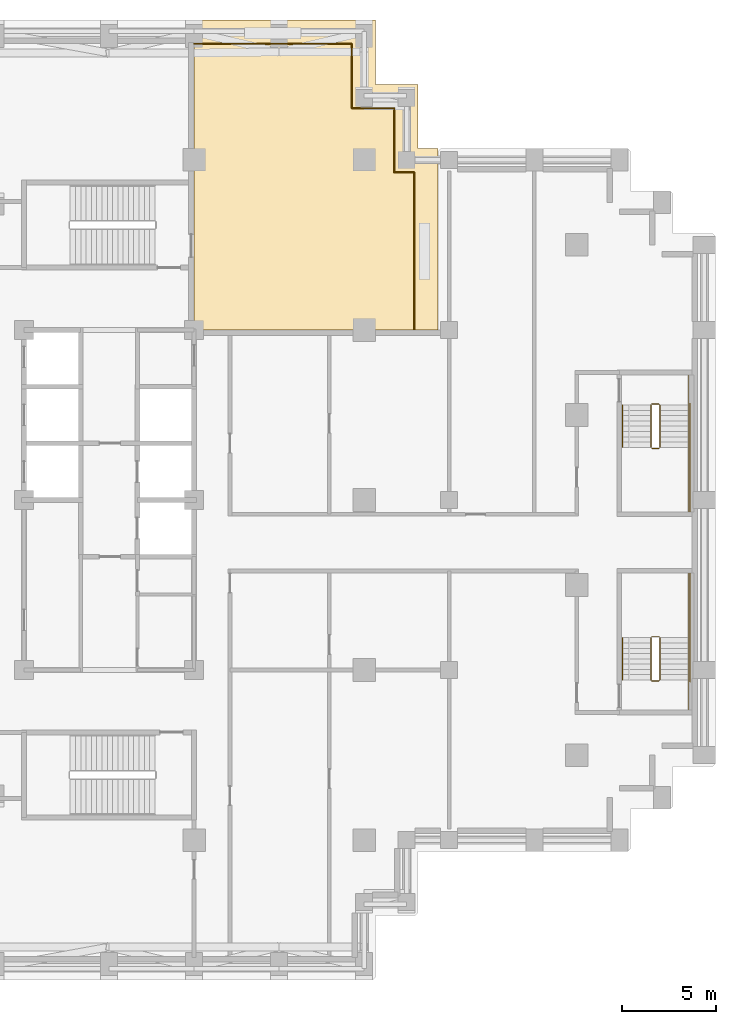
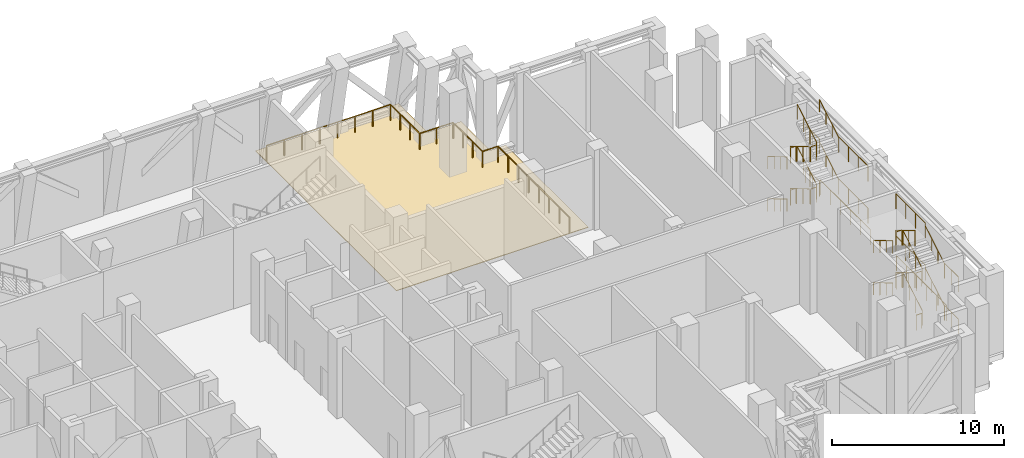
# One storey, part 14 of 14: 3 railings, 1 covering.
"""IFC4 building model written with IfcOpenShell, lengths in metres."""

from ifc_helpers import new_model, si_unit, direction, frame, origin, origin_2d, place, context, subcontext, project, spatial, polyline, circle, outline, extrude, material, layer, layer_set, type_object, element, save


model = new_model("IFC4")

# Units and contexts
model_context = context("Model", 3, precision=1e-05, world=origin(), true_north=direction((0.0, 1.0)))
body_context = subcontext(model_context, "Body", "Model", "MODEL_VIEW")
ifc_project = project(units=[si_unit("LENGTHUNIT", "METRE"), si_unit("AREAUNIT", "SQUARE_METRE"), si_unit("VOLUMEUNIT", "CUBIC_METRE"), si_unit("PLANEANGLEUNIT", "RADIAN"), si_unit("MASSUNIT", "GRAM", prefix="KILO")], contexts=[model_context])

# Site, building, storey
site_placement = place(None, origin())
site = spatial("IfcSite", under=ifc_project, at=site_placement, CompositionType="ELEMENT")
building_placement = place(site_placement, origin())
building = spatial("IfcBuilding", under=site, at=building_placement, Name="Corbelhall Arena Tower", CompositionType="ELEMENT")
storey_placement = place(building_placement, frame((0.0, 0.0, 120.0)))
storey = spatial("IfcBuildingStorey", under=building, at=storey_placement, Name="L22", CompositionType="ELEMENT", Elevation=120.0)

# Railing
ifc_material_1 = material(Name="Steel ASTM A500 Gr C", Category="steel")
railing_type_1 = type_object("IfcRailingType", Name="EV-GD1 Terrace guard 1100", PredefinedType="GUARDRAIL", material=ifc_material_1)
railing_1_placement = place(storey_placement, frame((13.5, 24.139892578125, 0.0400390625)))
element("IfcRailing", 1, at=railing_1_placement, inside=storey, type_object=railing_type_1, Name="Guard", PredefinedType="GUARDRAIL", context=body_context, shape_type="SweptSolid", body=[
    extrude(circle(Radius=0.02392578125, at=origin_2d()), frame((0.0, 0.0, 1.1259765625), z_axis=(1.0, 0.0, 0.0), x_axis=(0.0, 1.0, 0.0)), (0.0, 0.0, 1.0), 8.340087890625),
    extrude(circle(Radius=0.02392578125, at=origin_2d()), frame((8.340087890625, 0.0, 1.1259765625), z_axis=(0.0, -1.0, 0.0), x_axis=(1.0, 0.0, 0.0)), (0.0, 0.0, 1.0), 3.39990234375),
    extrude(circle(Radius=0.02392578125, at=origin_2d()), frame((8.340087890625, -3.39990234375, 1.1259765625), z_axis=(1.0, 0.0, 0.0), x_axis=(0.0, 1.0, 0.0)), (0.0, 0.0, 1.0), 2.25),
    extrude(circle(Radius=0.02392578125, at=origin_2d()), frame((10.590087890625, -3.39990234375, 1.1259765625), z_axis=(0.0, -1.0, 0.0), x_axis=(1.0, 0.0, 0.0)), (0.0, 0.0, 1.0), 3.39990234375),
    extrude(circle(Radius=0.02392578125, at=origin_2d()), frame((10.590087890625, -6.7998046875, 1.1259765625), z_axis=(1.0, 0.0, 0.0), x_axis=(0.0, 1.0, 0.0)), (0.0, 0.0, 1.0), 1.0498046875),
    extrude(circle(Radius=0.02392578125, at=origin_2d()), frame((11.639892578125, -6.7998046875, 1.1259765625), z_axis=(0.0, -1.0, 0.0), x_axis=(1.0, 0.0, 0.0)), (0.0, 0.0, 1.0), 8.340087890625),
    extrude(circle(Radius=0.02099609375, at=origin_2d()), origin(), (0.0, 0.0, 1.0), 1.101806640625),
    extrude(circle(Radius=0.02099609375, at=origin_2d()), frame((1.19140625, 0.0, 0.0)), (0.0, 0.0, 1.0), 1.101806640625),
    extrude(circle(Radius=0.02099609375, at=origin_2d()), frame((2.3828125, 0.0, 0.0)), (0.0, 0.0, 1.0), 1.101806640625),
    extrude(circle(Radius=0.02099609375, at=origin_2d()), frame((3.57421875, 0.0, 0.0)), (0.0, 0.0, 1.0), 1.101806640625),
    extrude(circle(Radius=0.02099609375, at=origin_2d()), frame((4.765869140625, 0.0, 0.0)), (0.0, 0.0, 1.0), 1.101806640625),
    extrude(circle(Radius=0.02099609375, at=origin_2d()), frame((5.957275390625, 0.0, 0.0)), (0.0, 0.0, 1.0), 1.101806640625),
    extrude(circle(Radius=0.02099609375, at=origin_2d()), frame((7.148681640625, 0.0, 0.0)), (0.0, 0.0, 1.0), 1.101806640625),
    extrude(circle(Radius=0.02099609375, at=origin_2d()), frame((8.340087890625, 0.0, 0.0)), (0.0, 0.0, 1.0), 1.101806640625),
    extrude(circle(Radius=0.02099609375, at=origin_2d()), frame((8.340087890625, -1.13330078125, 0.0)), (0.0, 0.0, 1.0), 1.101806640625),
    extrude(circle(Radius=0.02099609375, at=origin_2d()), frame((8.340087890625, -2.2666015625, 0.0)), (0.0, 0.0, 1.0), 1.101806640625),
    extrude(circle(Radius=0.02099609375, at=origin_2d()), frame((8.340087890625, -3.39990234375, 0.0)), (0.0, 0.0, 1.0), 1.101806640625),
    extrude(circle(Radius=0.02099609375, at=origin_2d()), frame((9.465087890625, -3.39990234375, 0.0)), (0.0, 0.0, 1.0), 1.101806640625),
    extrude(circle(Radius=0.02099609375, at=origin_2d()), frame((10.590087890625, -3.39990234375, 0.0)), (0.0, 0.0, 1.0), 1.101806640625),
    extrude(circle(Radius=0.02099609375, at=origin_2d()), frame((10.590087890625, -4.533203125, 0.0)), (0.0, 0.0, 1.0), 1.101806640625),
    extrude(circle(Radius=0.02099609375, at=origin_2d()), frame((10.590087890625, -5.66650390625, 0.0)), (0.0, 0.0, 1.0), 1.101806640625),
    extrude(circle(Radius=0.02099609375, at=origin_2d()), frame((10.590087890625, -6.7998046875, 0.0)), (0.0, 0.0, 1.0), 1.101806640625),
    extrude(circle(Radius=0.02099609375, at=origin_2d()), frame((11.639892578125, -6.7998046875, 0.0)), (0.0, 0.0, 1.0), 1.101806640625),
    extrude(circle(Radius=0.02099609375, at=origin_2d()), frame((11.639892578125, -7.9912109375, 0.0)), (0.0, 0.0, 1.0), 1.101806640625),
    extrude(circle(Radius=0.02099609375, at=origin_2d()), frame((11.639892578125, -9.1826171875, 0.0)), (0.0, 0.0, 1.0), 1.101806640625),
    extrude(circle(Radius=0.02099609375, at=origin_2d()), frame((11.639892578125, -10.3740234375, 0.0)), (0.0, 0.0, 1.0), 1.101806640625),
    extrude(circle(Radius=0.02099609375, at=origin_2d()), frame((11.639892578125, -11.565673828125, 0.0)), (0.0, 0.0, 1.0), 1.101806640625),
    extrude(circle(Radius=0.02099609375, at=origin_2d()), frame((11.639892578125, -12.757080078125, 0.0)), (0.0, 0.0, 1.0), 1.101806640625),
    extrude(circle(Radius=0.02099609375, at=origin_2d()), frame((11.639892578125, -13.948486328125, 0.0)), (0.0, 0.0, 1.0), 1.101806640625),
    extrude(circle(Radius=0.02099609375, at=origin_2d()), frame((11.639892578125, -15.139892578125, 0.0)), (0.0, 0.0, 1.0), 1.101806640625),
])

# Covering
ifc_material_2 = material(Name="Granite paving", Category="masonry")
ifc_layer = layer(ifc_material_2, 0.0400390625)
ifc_layer_set = layer_set([ifc_layer], Name="EV-PV1 Terrace paving 40")
covering_type = type_object("IfcCoveringType", Name="EV-PV1 Terrace paving 40", PredefinedType="FLOORING", material=ifc_layer_set)
covering_placement = place(storey_placement, origin())
element("IfcCovering", 2, at=covering_placement, inside=storey, type_object=covering_type, Name="Terrace paving", PredefinedType="FLOORING", context=body_context, shape_type="SweptSolid", body=[
    extrude(outline(polyline([(23.10009765625, 25.39990234375), (23.10009765625, 22.0), (25.35009765625, 22.0), (25.35009765625, 18.60009765625), (26.39990234375, 18.60009765625), (26.39990234375, 9.0), (13.5, 9.0), (13.5, 25.39990234375), (23.10009765625, 25.39990234375)])), origin(), (0.0, 0.0, 1.0), 0.0400390625),
])

# Railings
railing_type_2 = type_object("IfcRailingType", Name="IN-GD-1100", PredefinedType="GUARDRAIL", material=ifc_material_1)
railing_2_placement = place(storey_placement, frame((38.14990234375, -9.52490234375, 0.166748046875)))
element("IfcRailing", 3, at=railing_2_placement, inside=storey, type_object=railing_type_2, Name="L22 SD1 stair guards and handrails", PredefinedType="GUARDRAIL", context=body_context, shape_type="SweptSolid", body=[
    extrude(circle(Radius=0.02392578125, at=origin_2d()), frame((0.0, 0.0, 1.076171875), z_axis=(0.0, 0.859305625298, 0.511462454469), x_axis=(-1.0, 0.0, 0.0)), (0.0, 0.0, 1.0), 2.606689453125),
    extrude(circle(Radius=0.02392578125, at=origin_2d()), frame((-0.0498046875, 2.289794921875, 2.4091796875), z_axis=(-1.0, 0.0, 0.0), x_axis=(0.0, -1.0, 0.0)), (0.0, 0.0, 1.0), 0.375),
    extrude(circle(Radius=0.02392578125, at=origin_2d()), frame((1.5, 2.239990234375, 2.4091796875), z_axis=(0.0, 1.0, 0.0), x_axis=(-1.0, 0.0, 0.0)), (0.0, 0.0, 1.0), 3.409912109375),
    extrude(circle(Radius=0.02392578125, at=origin_2d()), frame((-0.474853515625, 2.239990234375, 2.576171875), z_axis=(0.0, -0.859305625298, 0.511462454469), x_axis=(1.0, 0.0, 0.0)), (0.0, 0.0, 1.0), 2.606689453125),
    extrude(circle(Radius=0.02392578125, at=origin_2d()), frame((-0.0498046875, -0.050048828125, 3.9091796875), z_axis=(-1.0, 0.0, 0.0), x_axis=(0.0, -1.0, 0.0)), (0.0, 0.0, 1.0), 0.375),
    extrude(circle(Radius=0.02392578125, at=origin_2d()), frame((1.5, -1.60009765625, 3.9091796875), z_axis=(0.0, 1.0, 0.0), x_axis=(-1.0, 0.0, 0.0)), (0.0, 0.0, 1.0), 1.60009765625),
    extrude(circle(Radius=0.02392578125, at=origin_2d()), frame((0.0, 0.0, 4.076171875), z_axis=(0.0, 0.859305625298, 0.511462454469), x_axis=(-1.0, 0.0, 0.0)), (0.0, 0.0, 1.0), 2.606689453125),
    extrude(circle(Radius=0.02392578125, at=origin_2d()), frame((-0.0498046875, 2.289794921875, 5.4091796875), z_axis=(-1.0, 0.0, 0.0), x_axis=(0.0, -1.0, 0.0)), (0.0, 0.0, 1.0), 0.375),
    extrude(circle(Radius=0.02392578125, at=origin_2d()), frame((1.5, 2.239990234375, 5.4091796875), z_axis=(0.0, 1.0, 0.0), x_axis=(-1.0, 0.0, 0.0)), (0.0, 0.0, 1.0), 3.409912109375),
    extrude(circle(Radius=0.02392578125, at=origin_2d()), frame((-0.474853515625, 2.239990234375, 5.576171875), z_axis=(0.0, -0.859305625298, 0.511462454469), x_axis=(1.0, 0.0, 0.0)), (0.0, 0.0, 1.0), 2.606689453125),
    extrude(circle(Radius=0.02392578125, at=origin_2d()), frame((-0.0498046875, -0.050048828125, 0.9091796875), z_axis=(-1.0, 0.0, 0.0), x_axis=(0.0, -1.0, 0.0)), (0.0, 0.0, 1.0), 0.375),
    extrude(circle(Radius=0.02392578125, at=origin_2d()), frame((1.5, -1.60009765625, 0.9091796875), z_axis=(0.0, 1.0, 0.0), x_axis=(-1.0, 0.0, 0.0)), (0.0, 0.0, 1.0), 1.60009765625),
    extrude(circle(Radius=0.02392578125, at=origin_2d()), frame((1.60009765625, -0.10009765625, 0.9091796875), z_axis=(0.0, 1.0, 0.0), x_axis=(-1.0, 0.0, 0.0)), (0.0, 0.0, 1.0), 5.85009765625),
    extrude(circle(Radius=0.02392578125, at=origin_2d()), frame((1.5, 0.0, 0.8759765625), z_axis=(0.0, 0.859305625298, 0.511462454469), x_axis=(-1.0, 0.0, 0.0)), (0.0, 0.0, 1.0), 2.606689453125),
    extrude(circle(Radius=0.02392578125, at=origin_2d()), frame((-1.974853515625, 2.239990234375, 2.3759765625), z_axis=(0.0, -0.859305625298, 0.511462454469), x_axis=(1.0, 0.0, 0.0)), (0.0, 0.0, 1.0), 2.606689453125),
    extrude(circle(Radius=0.02392578125, at=origin_2d()), frame((1.5, 0.0, 3.8759765625), z_axis=(0.0, 0.859305625298, 0.511462454469), x_axis=(-1.0, 0.0, 0.0)), (0.0, 0.0, 1.0), 2.606689453125),
    extrude(circle(Radius=0.02392578125, at=origin_2d()), frame((-1.974853515625, 2.239990234375, 5.3759765625), z_axis=(0.0, -0.859305625298, 0.511462454469), x_axis=(1.0, 0.0, 0.0)), (0.0, 0.0, 1.0), 2.606689453125),
    extrude(circle(Radius=0.02099609375, at=origin_2d()), origin(), (0.0, 0.0, 1.0), 1.052001953125),
    extrude(circle(Radius=0.02099609375, at=origin_2d()), frame((0.0, 0.74658203125, 0.4443359375)), (0.0, 0.0, 1.0), 1.052001953125),
    extrude(circle(Radius=0.02099609375, at=origin_2d()), frame((0.0, 1.493408203125, 0.888916015625)), (0.0, 0.0, 1.0), 1.052001953125),
    extrude(circle(Radius=0.02099609375, at=origin_2d()), frame((0.0, 2.239990234375, 1.333251953125)), (0.0, 0.0, 1.0), 1.052001953125),
    extrude(circle(Radius=0.02099609375, at=origin_2d()), frame((-0.0498046875, 2.289794921875, 1.333251953125)), (0.0, 0.0, 1.0), 1.052001953125),
    extrude(circle(Radius=0.02099609375, at=origin_2d()), frame((-0.4248046875, 2.289794921875, 1.333251953125)), (0.0, 0.0, 1.0), 1.052001953125),
    extrude(circle(Radius=0.02099609375, at=origin_2d()), frame((1.5, 2.239990234375, 1.333251953125)), (0.0, 0.0, 1.0), 1.052001953125),
    extrude(circle(Radius=0.02099609375, at=origin_2d()), frame((1.5, 3.376708984375, 1.333251953125)), (0.0, 0.0, 1.0), 1.052001953125),
    extrude(circle(Radius=0.02099609375, at=origin_2d()), frame((1.5, 4.51318359375, 1.333251953125)), (0.0, 0.0, 1.0), 1.052001953125),
    extrude(circle(Radius=0.02099609375, at=origin_2d()), frame((1.5, 5.64990234375, 1.333251953125)), (0.0, 0.0, 1.0), 1.052001953125),
    extrude(circle(Radius=0.02099609375, at=origin_2d()), frame((-0.474853515625, 2.239990234375, 1.5)), (0.0, 0.0, 1.0), 1.052001953125),
    extrude(circle(Radius=0.02099609375, at=origin_2d()), frame((-0.474853515625, 1.493408203125, 1.9443359375)), (0.0, 0.0, 1.0), 1.052001953125),
    extrude(circle(Radius=0.02099609375, at=origin_2d()), frame((-0.474853515625, 0.74658203125, 2.388916015625)), (0.0, 0.0, 1.0), 1.052001953125),
    extrude(circle(Radius=0.02099609375, at=origin_2d()), frame((-0.474853515625, 0.0, 2.833251953125)), (0.0, 0.0, 1.0), 1.052001953125),
    extrude(circle(Radius=0.02099609375, at=origin_2d()), frame((-0.0498046875, -0.050048828125, 2.833251953125)), (0.0, 0.0, 1.0), 1.052001953125),
    extrude(circle(Radius=0.02099609375, at=origin_2d()), frame((-0.4248046875, -0.050048828125, 2.833251953125)), (0.0, 0.0, 1.0), 1.052001953125),
    extrude(circle(Radius=0.02099609375, at=origin_2d()), frame((1.5, -1.60009765625, 2.833251953125)), (0.0, 0.0, 1.0), 1.052001953125),
    extrude(circle(Radius=0.02099609375, at=origin_2d()), frame((1.5, -0.800048828125, 2.833251953125)), (0.0, 0.0, 1.0), 1.052001953125),
    extrude(circle(Radius=0.02099609375, at=origin_2d()), frame((1.5, 0.0, 2.833251953125)), (0.0, 0.0, 1.0), 1.052001953125),
    extrude(circle(Radius=0.02099609375, at=origin_2d()), frame((0.0, 0.0, 3.0)), (0.0, 0.0, 1.0), 1.052001953125),
    extrude(circle(Radius=0.02099609375, at=origin_2d()), frame((0.0, 0.74658203125, 3.4443359375)), (0.0, 0.0, 1.0), 1.052001953125),
    extrude(circle(Radius=0.02099609375, at=origin_2d()), frame((0.0, 1.493408203125, 3.888916015625)), (0.0, 0.0, 1.0), 1.052001953125),
    extrude(circle(Radius=0.02099609375, at=origin_2d()), frame((0.0, 2.239990234375, 4.333251953125)), (0.0, 0.0, 1.0), 1.052001953125),
    extrude(circle(Radius=0.02099609375, at=origin_2d()), frame((-0.0498046875, 2.289794921875, 4.333251953125)), (0.0, 0.0, 1.0), 1.052001953125),
    extrude(circle(Radius=0.02099609375, at=origin_2d()), frame((-0.4248046875, 2.289794921875, 4.333251953125)), (0.0, 0.0, 1.0), 1.052001953125),
    extrude(circle(Radius=0.02099609375, at=origin_2d()), frame((1.5, 2.239990234375, 4.333251953125)), (0.0, 0.0, 1.0), 1.052001953125),
    extrude(circle(Radius=0.02099609375, at=origin_2d()), frame((1.5, 3.376708984375, 4.333251953125)), (0.0, 0.0, 1.0), 1.052001953125),
    extrude(circle(Radius=0.02099609375, at=origin_2d()), frame((1.5, 4.51318359375, 4.333251953125)), (0.0, 0.0, 1.0), 1.052001953125),
    extrude(circle(Radius=0.02099609375, at=origin_2d()), frame((1.5, 5.64990234375, 4.333251953125)), (0.0, 0.0, 1.0), 1.052001953125),
    extrude(circle(Radius=0.02099609375, at=origin_2d()), frame((-0.474853515625, 2.239990234375, 4.5)), (0.0, 0.0, 1.0), 1.052001953125),
    extrude(circle(Radius=0.02099609375, at=origin_2d()), frame((-0.474853515625, 1.493408203125, 4.9443359375)), (0.0, 0.0, 1.0), 1.052001953125),
    extrude(circle(Radius=0.02099609375, at=origin_2d()), frame((-0.474853515625, 0.74658203125, 5.388916015625)), (0.0, 0.0, 1.0), 1.052001953125),
    extrude(circle(Radius=0.02099609375, at=origin_2d()), frame((-0.474853515625, 0.0, 5.833251953125)), (0.0, 0.0, 1.0), 1.052001953125),
    extrude(circle(Radius=0.02099609375, at=origin_2d()), frame((-0.0498046875, -0.050048828125, -0.166748046875)), (0.0, 0.0, 1.0), 1.052001953125),
    extrude(circle(Radius=0.02099609375, at=origin_2d()), frame((-0.4248046875, -0.050048828125, -0.166748046875)), (0.0, 0.0, 1.0), 1.052001953125),
    extrude(circle(Radius=0.02099609375, at=origin_2d()), frame((1.5, -1.60009765625, -0.166748046875)), (0.0, 0.0, 1.0), 1.052001953125),
    extrude(circle(Radius=0.02099609375, at=origin_2d()), frame((1.5, -0.800048828125, -0.166748046875)), (0.0, 0.0, 1.0), 1.052001953125),
    extrude(circle(Radius=0.02099609375, at=origin_2d()), frame((1.5, 0.0, -0.166748046875)), (0.0, 0.0, 1.0), 1.052001953125),
    extrude(circle(Radius=0.02099609375, at=origin_2d()), frame((1.60009765625, -0.10009765625, -0.166748046875)), (0.0, 0.0, 1.0), 1.052001953125),
    extrude(circle(Radius=0.02099609375, at=origin_2d()), frame((1.60009765625, 1.06982421875, -0.166748046875)), (0.0, 0.0, 1.0), 1.052001953125),
    extrude(circle(Radius=0.02099609375, at=origin_2d()), frame((1.60009765625, 2.239990234375, -0.166748046875)), (0.0, 0.0, 1.0), 1.052001953125),
    extrude(circle(Radius=0.02099609375, at=origin_2d()), frame((1.60009765625, 3.409912109375, -0.166748046875)), (0.0, 0.0, 1.0), 1.052001953125),
    extrude(circle(Radius=0.02099609375, at=origin_2d()), frame((1.60009765625, 4.580078125, -0.166748046875)), (0.0, 0.0, 1.0), 1.052001953125),
    extrude(circle(Radius=0.02099609375, at=origin_2d()), frame((1.60009765625, 5.75, -0.166748046875)), (0.0, 0.0, 1.0), 1.052001953125),
    extrude(circle(Radius=0.02099609375, at=origin_2d()), frame((1.5, 0.0, 0.0)), (0.0, 0.0, 1.0), 0.851806640625),
    extrude(circle(Radius=0.02099609375, at=origin_2d()), frame((1.5, 0.74658203125, 0.4443359375)), (0.0, 0.0, 1.0), 0.851806640625),
    extrude(circle(Radius=0.02099609375, at=origin_2d()), frame((1.5, 1.493408203125, 0.888916015625)), (0.0, 0.0, 1.0), 0.851806640625),
    extrude(circle(Radius=0.02099609375, at=origin_2d()), frame((-1.974853515625, 2.239990234375, 1.5)), (0.0, 0.0, 1.0), 0.851806640625),
    extrude(circle(Radius=0.02099609375, at=origin_2d()), frame((-1.974853515625, 1.493408203125, 1.9443359375)), (0.0, 0.0, 1.0), 0.851806640625),
    extrude(circle(Radius=0.02099609375, at=origin_2d()), frame((-1.974853515625, 0.74658203125, 2.388916015625)), (0.0, 0.0, 1.0), 0.851806640625),
    extrude(circle(Radius=0.02099609375, at=origin_2d()), frame((-1.974853515625, 0.0, 2.833251953125)), (0.0, 0.0, 1.0), 0.851806640625),
    extrude(circle(Radius=0.02099609375, at=origin_2d()), frame((1.5, 0.0, 3.0)), (0.0, 0.0, 1.0), 0.851806640625),
    extrude(circle(Radius=0.02099609375, at=origin_2d()), frame((1.5, 0.74658203125, 3.4443359375)), (0.0, 0.0, 1.0), 0.851806640625),
    extrude(circle(Radius=0.02099609375, at=origin_2d()), frame((1.5, 1.493408203125, 3.888916015625)), (0.0, 0.0, 1.0), 0.851806640625),
    extrude(circle(Radius=0.02099609375, at=origin_2d()), frame((-1.974853515625, 2.239990234375, 4.5)), (0.0, 0.0, 1.0), 0.851806640625),
    extrude(circle(Radius=0.02099609375, at=origin_2d()), frame((-1.974853515625, 1.493408203125, 4.9443359375)), (0.0, 0.0, 1.0), 0.851806640625),
    extrude(circle(Radius=0.02099609375, at=origin_2d()), frame((-1.974853515625, 0.74658203125, 5.388916015625)), (0.0, 0.0, 1.0), 0.851806640625),
    extrude(circle(Radius=0.02099609375, at=origin_2d()), frame((-1.974853515625, 0.0, 5.833251953125)), (0.0, 0.0, 1.0), 0.851806640625),
])
railing_3_placement = place(storey_placement, frame((37.675048828125, 5.02490234375, 0.166748046875)))
element("IfcRailing", 4, at=railing_3_placement, inside=storey, type_object=railing_type_2, Name="L22 SD2 stair guards and handrails", PredefinedType="GUARDRAIL", context=body_context, shape_type="SweptSolid", body=[
    extrude(circle(Radius=0.02392578125, at=origin_2d()), frame((0.0, 0.0, 1.076171875), z_axis=(0.0, -0.859305625298, 0.511462454469), x_axis=(1.0, 0.0, 0.0)), (0.0, 0.0, 1.0), 2.606689453125),
    extrude(circle(Radius=0.02392578125, at=origin_2d()), frame((0.050048828125, -2.289794921875, 2.4091796875), z_axis=(1.0, 0.0, 0.0), x_axis=(0.0, 1.0, 0.0)), (0.0, 0.0, 1.0), 0.375),
    extrude(circle(Radius=0.02392578125, at=origin_2d()), frame((1.974853515625, -2.239990234375, 2.4091796875), z_axis=(0.0, -1.0, 0.0), x_axis=(1.0, 0.0, 0.0)), (0.0, 0.0, 1.0), 3.409912109375),
    extrude(circle(Radius=0.02392578125, at=origin_2d()), frame((0.474853515625, -2.239990234375, 2.576171875), z_axis=(0.0, 0.859305625298, 0.511462454469), x_axis=(-1.0, 0.0, 0.0)), (0.0, 0.0, 1.0), 2.606689453125),
    extrude(circle(Radius=0.02392578125, at=origin_2d()), frame((0.050048828125, 0.050048828125, 3.9091796875), z_axis=(1.0, 0.0, 0.0), x_axis=(0.0, 1.0, 0.0)), (0.0, 0.0, 1.0), 0.375),
    extrude(circle(Radius=0.02392578125, at=origin_2d()), frame((1.974853515625, 1.60009765625, 3.9091796875), z_axis=(0.0, -1.0, 0.0), x_axis=(1.0, 0.0, 0.0)), (0.0, 0.0, 1.0), 1.60009765625),
    extrude(circle(Radius=0.02392578125, at=origin_2d()), frame((0.0, 0.0, 4.076171875), z_axis=(0.0, -0.859305625298, 0.511462454469), x_axis=(1.0, 0.0, 0.0)), (0.0, 0.0, 1.0), 2.606689453125),
    extrude(circle(Radius=0.02392578125, at=origin_2d()), frame((0.050048828125, -2.289794921875, 5.4091796875), z_axis=(1.0, 0.0, 0.0), x_axis=(0.0, 1.0, 0.0)), (0.0, 0.0, 1.0), 0.375),
    extrude(circle(Radius=0.02392578125, at=origin_2d()), frame((1.974853515625, -2.239990234375, 5.4091796875), z_axis=(0.0, -1.0, 0.0), x_axis=(1.0, 0.0, 0.0)), (0.0, 0.0, 1.0), 3.409912109375),
    extrude(circle(Radius=0.02392578125, at=origin_2d()), frame((0.474853515625, -2.239990234375, 5.576171875), z_axis=(0.0, 0.859305625298, 0.511462454469), x_axis=(-1.0, 0.0, 0.0)), (0.0, 0.0, 1.0), 2.606689453125),
    extrude(circle(Radius=0.02392578125, at=origin_2d()), frame((0.050048828125, 0.050048828125, 0.9091796875), z_axis=(1.0, 0.0, 0.0), x_axis=(0.0, 1.0, 0.0)), (0.0, 0.0, 1.0), 0.375),
    extrude(circle(Radius=0.02392578125, at=origin_2d()), frame((1.974853515625, 1.60009765625, 0.9091796875), z_axis=(0.0, -1.0, 0.0), x_axis=(1.0, 0.0, 0.0)), (0.0, 0.0, 1.0), 1.60009765625),
    extrude(circle(Radius=0.02392578125, at=origin_2d()), frame((2.074951171875, 0.10009765625, 0.9091796875), z_axis=(0.0, -1.0, 0.0), x_axis=(1.0, 0.0, 0.0)), (0.0, 0.0, 1.0), 5.85009765625),
    extrude(circle(Radius=0.02392578125, at=origin_2d()), frame((-1.5, 0.0, 0.8759765625), z_axis=(0.0, -0.859305625298, 0.511462454469), x_axis=(1.0, 0.0, 0.0)), (0.0, 0.0, 1.0), 2.606689453125),
    extrude(circle(Radius=0.02392578125, at=origin_2d()), frame((1.974853515625, -2.239990234375, 2.3759765625), z_axis=(0.0, 0.859305625298, 0.511462454469), x_axis=(-1.0, 0.0, 0.0)), (0.0, 0.0, 1.0), 2.606689453125),
    extrude(circle(Radius=0.02392578125, at=origin_2d()), frame((-1.5, 0.0, 3.8759765625), z_axis=(0.0, -0.859305625298, 0.511462454469), x_axis=(1.0, 0.0, 0.0)), (0.0, 0.0, 1.0), 2.606689453125),
    extrude(circle(Radius=0.02392578125, at=origin_2d()), frame((1.974853515625, -2.239990234375, 5.3759765625), z_axis=(0.0, 0.859305625298, 0.511462454469), x_axis=(-1.0, 0.0, 0.0)), (0.0, 0.0, 1.0), 2.606689453125),
    extrude(circle(Radius=0.02099609375, at=origin_2d()), origin(), (0.0, 0.0, 1.0), 1.052001953125),
    extrude(circle(Radius=0.02099609375, at=origin_2d()), frame((0.0, -0.74658203125, 0.4443359375)), (0.0, 0.0, 1.0), 1.052001953125),
    extrude(circle(Radius=0.02099609375, at=origin_2d()), frame((0.0, -1.493408203125, 0.888916015625)), (0.0, 0.0, 1.0), 1.052001953125),
    extrude(circle(Radius=0.02099609375, at=origin_2d()), frame((0.0, -2.239990234375, 1.333251953125)), (0.0, 0.0, 1.0), 1.052001953125),
    extrude(circle(Radius=0.02099609375, at=origin_2d()), frame((0.050048828125, -2.289794921875, 1.333251953125)), (0.0, 0.0, 1.0), 1.052001953125),
    extrude(circle(Radius=0.02099609375, at=origin_2d()), frame((0.425048828125, -2.289794921875, 1.333251953125)), (0.0, 0.0, 1.0), 1.052001953125),
    extrude(circle(Radius=0.02099609375, at=origin_2d()), frame((1.974853515625, -2.239990234375, 1.333251953125)), (0.0, 0.0, 1.0), 1.052001953125),
    extrude(circle(Radius=0.02099609375, at=origin_2d()), frame((1.974853515625, -3.376708984375, 1.333251953125)), (0.0, 0.0, 1.0), 1.052001953125),
    extrude(circle(Radius=0.02099609375, at=origin_2d()), frame((1.974853515625, -4.51318359375, 1.333251953125)), (0.0, 0.0, 1.0), 1.052001953125),
    extrude(circle(Radius=0.02099609375, at=origin_2d()), frame((1.974853515625, -5.64990234375, 1.333251953125)), (0.0, 0.0, 1.0), 1.052001953125),
    extrude(circle(Radius=0.02099609375, at=origin_2d()), frame((0.474853515625, -2.239990234375, 1.5)), (0.0, 0.0, 1.0), 1.052001953125),
    extrude(circle(Radius=0.02099609375, at=origin_2d()), frame((0.474853515625, -1.493408203125, 1.9443359375)), (0.0, 0.0, 1.0), 1.052001953125),
    extrude(circle(Radius=0.02099609375, at=origin_2d()), frame((0.474853515625, -0.74658203125, 2.388916015625)), (0.0, 0.0, 1.0), 1.052001953125),
    extrude(circle(Radius=0.02099609375, at=origin_2d()), frame((0.474853515625, 0.0, 2.833251953125)), (0.0, 0.0, 1.0), 1.052001953125),
    extrude(circle(Radius=0.02099609375, at=origin_2d()), frame((0.050048828125, 0.050048828125, 2.833251953125)), (0.0, 0.0, 1.0), 1.052001953125),
    extrude(circle(Radius=0.02099609375, at=origin_2d()), frame((0.425048828125, 0.050048828125, 2.833251953125)), (0.0, 0.0, 1.0), 1.052001953125),
    extrude(circle(Radius=0.02099609375, at=origin_2d()), frame((1.974853515625, 1.60009765625, 2.833251953125)), (0.0, 0.0, 1.0), 1.052001953125),
    extrude(circle(Radius=0.02099609375, at=origin_2d()), frame((1.974853515625, 0.800048828125, 2.833251953125)), (0.0, 0.0, 1.0), 1.052001953125),
    extrude(circle(Radius=0.02099609375, at=origin_2d()), frame((1.974853515625, 0.0, 2.833251953125)), (0.0, 0.0, 1.0), 1.052001953125),
    extrude(circle(Radius=0.02099609375, at=origin_2d()), frame((0.0, 0.0, 3.0)), (0.0, 0.0, 1.0), 1.052001953125),
    extrude(circle(Radius=0.02099609375, at=origin_2d()), frame((0.0, -0.74658203125, 3.4443359375)), (0.0, 0.0, 1.0), 1.052001953125),
    extrude(circle(Radius=0.02099609375, at=origin_2d()), frame((0.0, -1.493408203125, 3.888916015625)), (0.0, 0.0, 1.0), 1.052001953125),
    extrude(circle(Radius=0.02099609375, at=origin_2d()), frame((0.0, -2.239990234375, 4.333251953125)), (0.0, 0.0, 1.0), 1.052001953125),
    extrude(circle(Radius=0.02099609375, at=origin_2d()), frame((0.050048828125, -2.289794921875, 4.333251953125)), (0.0, 0.0, 1.0), 1.052001953125),
    extrude(circle(Radius=0.02099609375, at=origin_2d()), frame((0.425048828125, -2.289794921875, 4.333251953125)), (0.0, 0.0, 1.0), 1.052001953125),
    extrude(circle(Radius=0.02099609375, at=origin_2d()), frame((1.974853515625, -2.239990234375, 4.333251953125)), (0.0, 0.0, 1.0), 1.052001953125),
    extrude(circle(Radius=0.02099609375, at=origin_2d()), frame((1.974853515625, -3.376708984375, 4.333251953125)), (0.0, 0.0, 1.0), 1.052001953125),
    extrude(circle(Radius=0.02099609375, at=origin_2d()), frame((1.974853515625, -4.51318359375, 4.333251953125)), (0.0, 0.0, 1.0), 1.052001953125),
    extrude(circle(Radius=0.02099609375, at=origin_2d()), frame((1.974853515625, -5.64990234375, 4.333251953125)), (0.0, 0.0, 1.0), 1.052001953125),
    extrude(circle(Radius=0.02099609375, at=origin_2d()), frame((0.474853515625, -2.239990234375, 4.5)), (0.0, 0.0, 1.0), 1.052001953125),
    extrude(circle(Radius=0.02099609375, at=origin_2d()), frame((0.474853515625, -1.493408203125, 4.9443359375)), (0.0, 0.0, 1.0), 1.052001953125),
    extrude(circle(Radius=0.02099609375, at=origin_2d()), frame((0.474853515625, -0.74658203125, 5.388916015625)), (0.0, 0.0, 1.0), 1.052001953125),
    extrude(circle(Radius=0.02099609375, at=origin_2d()), frame((0.474853515625, 0.0, 5.833251953125)), (0.0, 0.0, 1.0), 1.052001953125),
    extrude(circle(Radius=0.02099609375, at=origin_2d()), frame((0.050048828125, 0.050048828125, -0.166748046875)), (0.0, 0.0, 1.0), 1.052001953125),
    extrude(circle(Radius=0.02099609375, at=origin_2d()), frame((0.425048828125, 0.050048828125, -0.166748046875)), (0.0, 0.0, 1.0), 1.052001953125),
    extrude(circle(Radius=0.02099609375, at=origin_2d()), frame((1.974853515625, 1.60009765625, -0.166748046875)), (0.0, 0.0, 1.0), 1.052001953125),
    extrude(circle(Radius=0.02099609375, at=origin_2d()), frame((1.974853515625, 0.800048828125, -0.166748046875)), (0.0, 0.0, 1.0), 1.052001953125),
    extrude(circle(Radius=0.02099609375, at=origin_2d()), frame((1.974853515625, 0.0, -0.166748046875)), (0.0, 0.0, 1.0), 1.052001953125),
    extrude(circle(Radius=0.02099609375, at=origin_2d()), frame((2.074951171875, 0.10009765625, -0.166748046875)), (0.0, 0.0, 1.0), 1.052001953125),
    extrude(circle(Radius=0.02099609375, at=origin_2d()), frame((2.074951171875, -1.06982421875, -0.166748046875)), (0.0, 0.0, 1.0), 1.052001953125),
    extrude(circle(Radius=0.02099609375, at=origin_2d()), frame((2.074951171875, -2.239990234375, -0.166748046875)), (0.0, 0.0, 1.0), 1.052001953125),
    extrude(circle(Radius=0.02099609375, at=origin_2d()), frame((2.074951171875, -3.409912109375, -0.166748046875)), (0.0, 0.0, 1.0), 1.052001953125),
    extrude(circle(Radius=0.02099609375, at=origin_2d()), frame((2.074951171875, -4.580078125, -0.166748046875)), (0.0, 0.0, 1.0), 1.052001953125),
    extrude(circle(Radius=0.02099609375, at=origin_2d()), frame((2.074951171875, -5.75, -0.166748046875)), (0.0, 0.0, 1.0), 1.052001953125),
    extrude(circle(Radius=0.02099609375, at=origin_2d()), frame((-1.5, 0.0, 0.0)), (0.0, 0.0, 1.0), 0.851806640625),
    extrude(circle(Radius=0.02099609375, at=origin_2d()), frame((-1.5, -0.74658203125, 0.4443359375)), (0.0, 0.0, 1.0), 0.851806640625),
    extrude(circle(Radius=0.02099609375, at=origin_2d()), frame((-1.5, -1.493408203125, 0.888916015625)), (0.0, 0.0, 1.0), 0.851806640625),
    extrude(circle(Radius=0.02099609375, at=origin_2d()), frame((-1.5, -2.239990234375, 1.333251953125)), (0.0, 0.0, 1.0), 0.851806640625),
    extrude(circle(Radius=0.02099609375, at=origin_2d()), frame((1.974853515625, -2.239990234375, 1.5)), (0.0, 0.0, 1.0), 0.851806640625),
    extrude(circle(Radius=0.02099609375, at=origin_2d()), frame((1.974853515625, -1.493408203125, 1.9443359375)), (0.0, 0.0, 1.0), 0.851806640625),
    extrude(circle(Radius=0.02099609375, at=origin_2d()), frame((1.974853515625, -0.74658203125, 2.388916015625)), (0.0, 0.0, 1.0), 0.851806640625),
    extrude(circle(Radius=0.02099609375, at=origin_2d()), frame((-1.5, 0.0, 3.0)), (0.0, 0.0, 1.0), 0.851806640625),
    extrude(circle(Radius=0.02099609375, at=origin_2d()), frame((-1.5, -0.74658203125, 3.4443359375)), (0.0, 0.0, 1.0), 0.851806640625),
    extrude(circle(Radius=0.02099609375, at=origin_2d()), frame((-1.5, -1.493408203125, 3.888916015625)), (0.0, 0.0, 1.0), 0.851806640625),
    extrude(circle(Radius=0.02099609375, at=origin_2d()), frame((-1.5, -2.239990234375, 4.333251953125)), (0.0, 0.0, 1.0), 0.851806640625),
    extrude(circle(Radius=0.02099609375, at=origin_2d()), frame((1.974853515625, -2.239990234375, 4.5)), (0.0, 0.0, 1.0), 0.851806640625),
    extrude(circle(Radius=0.02099609375, at=origin_2d()), frame((1.974853515625, -1.493408203125, 4.9443359375)), (0.0, 0.0, 1.0), 0.851806640625),
    extrude(circle(Radius=0.02099609375, at=origin_2d()), frame((1.974853515625, -0.74658203125, 5.388916015625)), (0.0, 0.0, 1.0), 0.851806640625),
    extrude(circle(Radius=0.02099609375, at=origin_2d()), frame((1.974853515625, 0.0, 5.833251953125)), (0.0, 0.0, 1.0), 0.851806640625),
])

save(model, "model.ifc")
